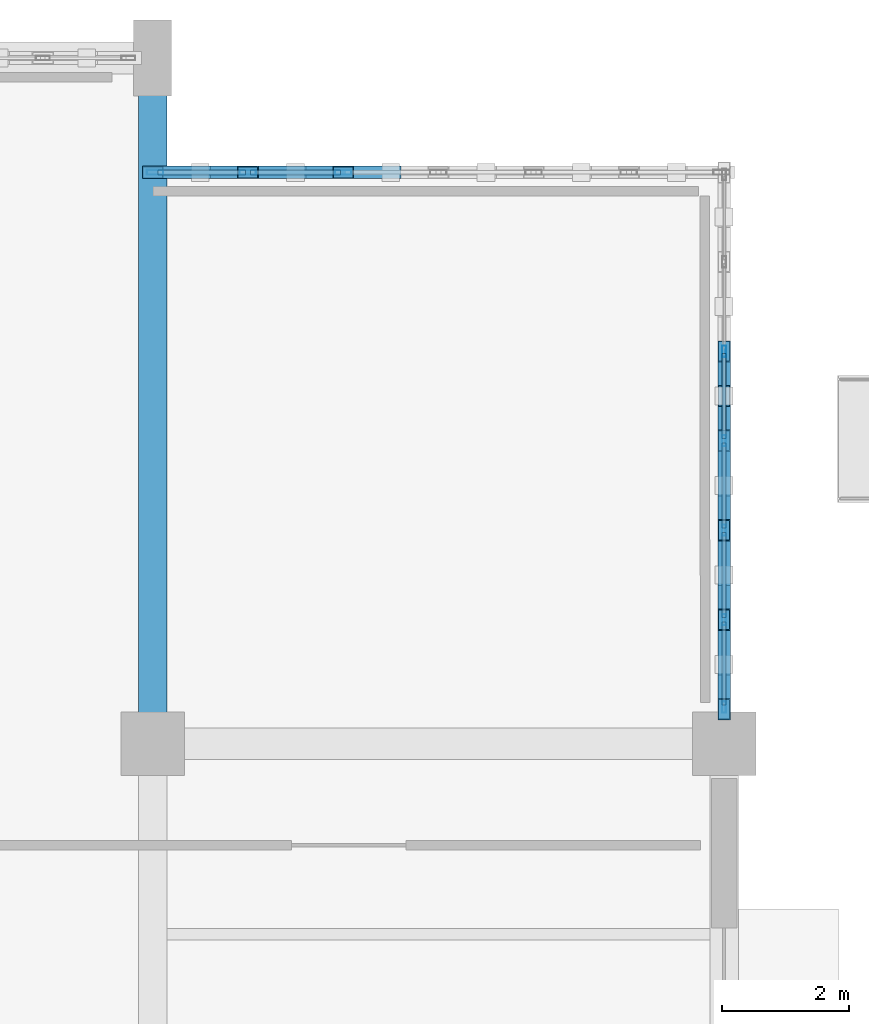
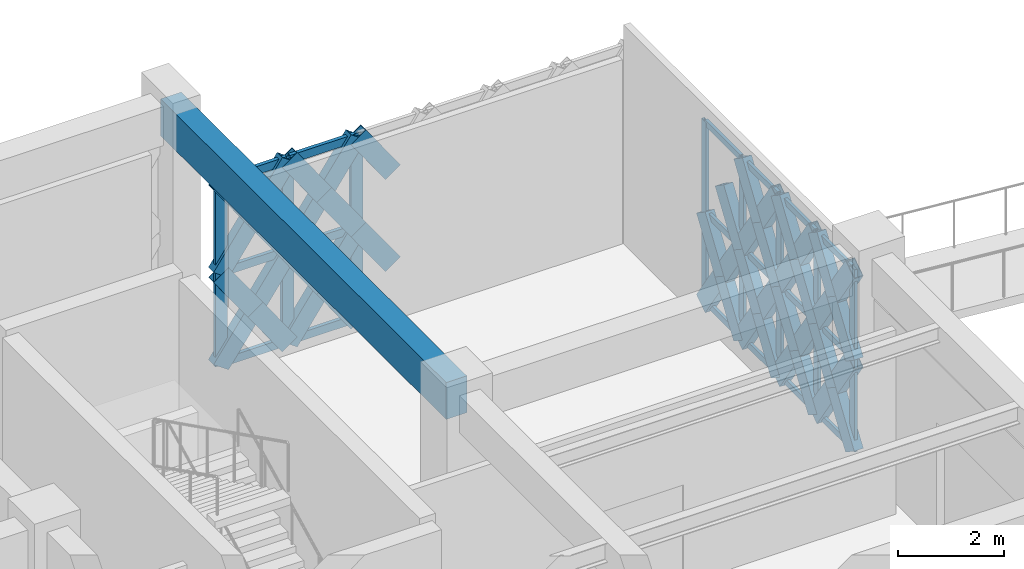
# One storey, part 74 of 140: 62 members, 1 beam, 2 elements without a shape of their own.
"""IFC4 building model written with IfcOpenShell, lengths in metres."""

from ifc_helpers import new_model, si_unit, direction, frame, origin, origin_2d, place, context, subcontext, project, spatial, rectangle, hollow_rectangle, extrude, material, material_profile, profile_set, type_object, element, aggregate, save


model = new_model("IFC4")

# Units and contexts
model_context = context("Model", 3, precision=1e-05, world=origin(), true_north=direction((0.0, 1.0)))
body_context = subcontext(model_context, "Body", "Model", "MODEL_VIEW")
ifc_project = project(units=[si_unit("LENGTHUNIT", "METRE"), si_unit("AREAUNIT", "SQUARE_METRE"), si_unit("VOLUMEUNIT", "CUBIC_METRE"), si_unit("PLANEANGLEUNIT", "RADIAN"), si_unit("MASSUNIT", "GRAM", prefix="KILO")], contexts=[model_context])

# Site, building, storey
site_placement = place(None, origin())
site = spatial("IfcSite", under=ifc_project, at=site_placement, CompositionType="ELEMENT")
building_placement = place(site_placement, origin())
building = spatial("IfcBuilding", under=site, at=building_placement, Name="Haizhuo Lancet Aquarium", CompositionType="ELEMENT")
storey_placement = place(building_placement, origin())
storey = spatial("IfcBuildingStorey", under=building, at=storey_placement, Name="L00", CompositionType="ELEMENT", Elevation=0.0)

# Beam
ifc_material_1 = material(Name="Concrete C40/50", Category="concrete")
ifc_material_profile_1 = material_profile(ifc_material_1, rectangle(XDim=0.449951171875, YDim=0.85009765625, at=origin_2d()), Name="RC-BM 450x850")
ifc_profile_set_1 = profile_set([ifc_material_profile_1], Name="Concrete C40/50")
beam_type = type_object("IfcBeamType", Name="BM-RC-450x850", PredefinedType="BEAM", material=ifc_profile_set_1)
beam_placement = place(storey_placement, frame((18.0, 45.0, 4.695068359375), z_axis=(0.0, 1.0, 0.0), x_axis=(-1.0, 0.0, 0.0)))
element("IfcBeam", 1, at=beam_placement, inside=storey, type_object=beam_type, Name="L00 V5 primary girder BM-L00-V5-030", PredefinedType="BEAM", context=body_context, shape_type="SweptSolid", body=[
    extrude(rectangle(XDim=0.449951171875, YDim=0.85009765625, at=origin_2d()), origin(), (0.0, 0.0, 1.0), 10.800048828125),
])

# Curtain wall, members
ifc_material_2 = material(Name="Aluminium 6063-T6", Category="aluminium")
curtain_wall_type_1 = type_object("IfcCurtainWallType", Name="CWD-8460x4200", PredefinedType="NOTDEFINED", material=ifc_material_2)
curtain_wall_1_placement = place(storey_placement, origin())
curtain_wall_1 = element("IfcCurtainWall", 2, at=curtain_wall_1_placement, inside=storey, type_object=curtain_wall_type_1, Name="L00 curtain wall CW-V5-L00-121", PredefinedType="NOTDEFINED")
ifc_material_profile_2 = material_profile(ifc_material_2, hollow_rectangle(XDim=0.06494140625, YDim=0.179931640625, WallThickness=0.00390625, at=origin_2d()), Name="ALU-M 65x180x4")
ifc_profile_set_2 = profile_set([ifc_material_profile_2], Name="Aluminium 6063-T6")
member_type_1 = type_object("IfcMemberType", Name="CW-MUL-1", PredefinedType="MULLION", material=ifc_profile_set_2)
member_1_placement = place(storey_placement, frame((27.0, 51.181884765625, 0.0), z_axis=(0.0, 0.0, 1.0), x_axis=(1.0, 0.0, 0.0)))
member_1 = element("IfcMember", 3, at=member_1_placement, type_object=member_type_1, Name="CWD-84x42 mullion 3", PredefinedType="MULLION", context=body_context, shape_type="SweptSolid", body=[
    extrude(hollow_rectangle(XDim=0.06494140625, YDim=0.179931640625, WallThickness=0.00390625, at=origin_2d()), origin(), (0.0, 0.0, 1.0), 4.205078125),
])
member_2_placement = place(storey_placement, frame((27.0, 49.77294921875, 0.0), z_axis=(0.0, 0.0, 1.0), x_axis=(1.0, 0.0, 0.0)))
member_2 = element("IfcMember", 4, at=member_2_placement, type_object=member_type_1, Name="CWD-84x42 mullion 4", PredefinedType="MULLION", context=body_context, shape_type="SweptSolid", body=[
    extrude(hollow_rectangle(XDim=0.06494140625, YDim=0.179931640625, WallThickness=0.00390625, at=origin_2d()), origin(), (0.0, 0.0, 1.0), 4.205078125),
])
member_3_placement = place(storey_placement, frame((27.0, 48.363037109375, 0.0), z_axis=(0.0, 0.0, 1.0), x_axis=(1.0, 0.0, 0.0)))
member_3 = element("IfcMember", 5, at=member_3_placement, type_object=member_type_1, Name="CWD-84x42 mullion 5", PredefinedType="MULLION", context=body_context, shape_type="SweptSolid", body=[
    extrude(hollow_rectangle(XDim=0.06494140625, YDim=0.179931640625, WallThickness=0.00390625, at=origin_2d()), origin(), (0.0, 0.0, 1.0), 4.205078125),
])
member_4_placement = place(storey_placement, frame((27.0, 46.9541015625, 0.0), z_axis=(0.0, 0.0, 1.0), x_axis=(1.0, 0.0, 0.0)))
member_4 = element("IfcMember", 6, at=member_4_placement, type_object=member_type_1, Name="CWD-84x42 mullion 6", PredefinedType="MULLION", context=body_context, shape_type="SweptSolid", body=[
    extrude(hollow_rectangle(XDim=0.06494140625, YDim=0.179931640625, WallThickness=0.00390625, at=origin_2d()), origin(), (0.0, 0.0, 1.0), 4.205078125),
])
member_5_placement = place(storey_placement, frame((27.0, 45.577880859375, 0.0), z_axis=(0.0, 0.0, 1.0), x_axis=(1.0, 0.0, 0.0)))
member_5 = element("IfcMember", 7, at=member_5_placement, type_object=member_type_1, Name="CWD-84x42 mullion 7", PredefinedType="MULLION", context=body_context, shape_type="SweptSolid", body=[
    extrude(hollow_rectangle(XDim=0.06494140625, YDim=0.179931640625, WallThickness=0.00390625, at=origin_2d()), origin(), (0.0, 0.0, 1.0), 4.205078125),
])

curtain_wall_type_2 = type_object("IfcCurtainWallType", Name="CWD-9000x4260", PredefinedType="NOTDEFINED", material=ifc_material_2)
curtain_wall_2_placement = place(storey_placement, origin())
curtain_wall_2 = element("IfcCurtainWall", 8, at=curtain_wall_2_placement, inside=storey, type_object=curtain_wall_type_2, Name="L00 curtain wall CW-V5-L00-120", PredefinedType="NOTDEFINED")
ifc_material_profile_3 = material_profile(ifc_material_2, hollow_rectangle(XDim=0.080078125, YDim=0.260009765625, WallThickness=0.0048828125, at=origin_2d()), Name="ALU-M 80x260x5")
ifc_profile_set_3 = profile_set([ifc_material_profile_3], Name="Aluminium 6063-T6")
member_type_2 = type_object("IfcMemberType", Name="CW-MUL-3", PredefinedType="MULLION", material=ifc_profile_set_3)
member_6_placement = place(storey_placement, frame((18.0400390625, 54.0, 0.0), z_axis=(0.0, 0.0, 1.0), x_axis=(0.0, 1.0, 0.0)))
member_6 = element("IfcMember", 9, at=member_6_placement, type_object=member_type_2, Name="CWD-90x42 mullion 1", PredefinedType="MULLION", context=body_context, shape_type="SweptSolid", body=[
    extrude(hollow_rectangle(XDim=0.080078125, YDim=0.260009765625, WallThickness=0.0048828125, at=origin_2d()), origin(), (0.0, 0.0, 1.0), 4.2548828125),
])
member_7_placement = place(storey_placement, frame((19.5, 54.0, 0.0), z_axis=(0.0, 0.0, 1.0), x_axis=(0.0, 1.0, 0.0)))
member_7 = element("IfcMember", 10, at=member_7_placement, type_object=member_type_2, Name="CWD-90x42 mullion 2", PredefinedType="MULLION", context=body_context, shape_type="SweptSolid", body=[
    extrude(hollow_rectangle(XDim=0.080078125, YDim=0.260009765625, WallThickness=0.0048828125, at=origin_2d()), origin(), (0.0, 0.0, 1.0), 4.2548828125),
])
member_8_placement = place(storey_placement, frame((21.0, 54.0, 0.0), z_axis=(0.0, 0.0, 1.0), x_axis=(0.0, 1.0, 0.0)))
member_8 = element("IfcMember", 11, at=member_8_placement, type_object=member_type_2, Name="CWD-90x42 mullion 3", PredefinedType="MULLION", context=body_context, shape_type="SweptSolid", body=[
    extrude(hollow_rectangle(XDim=0.080078125, YDim=0.260009765625, WallThickness=0.0048828125, at=origin_2d()), origin(), (0.0, 0.0, 1.0), 4.2548828125),
])

# Member
ifc_material_profile_4 = material_profile(ifc_material_2, hollow_rectangle(XDim=0.06494140625, YDim=0.139892578125, WallThickness=0.00390625, at=origin_2d()), Name="ALU-T 65x140x4")
ifc_profile_set_4 = profile_set([ifc_material_profile_4], Name="Aluminium 6063-T6")
member_type_3 = type_object("IfcMemberType", Name="CW-TRN-1", PredefinedType="NOTDEFINED", material=ifc_profile_set_4)
member_9_placement = place(storey_placement, frame((27.0, 51.14892578125, 0.032958984375), z_axis=(0.0, -1.0, 0.0), x_axis=(1.0, 0.0, 0.0)))
member_9 = element("IfcMember", 12, at=member_9_placement, type_object=member_type_3, Name="CWD-84x42 transom 3.1", ObjectType="TRANSOM", PredefinedType="USERDEFINED", context=body_context, shape_type="SweptSolid", body=[
    extrude(hollow_rectangle(XDim=0.06494140625, YDim=0.139892578125, WallThickness=0.00390625, at=origin_2d()), origin(), (0.0, 0.0, 1.0), 1.343994140625),
])

member_10_placement = place(storey_placement, frame((27.0, 51.14892578125, 2.10302734375), z_axis=(0.0, -1.0, 0.0), x_axis=(1.0, 0.0, 0.0)))
member_10 = element("IfcMember", 13, at=member_10_placement, type_object=member_type_3, Name="CWD-84x42 transom 3.2", ObjectType="TRANSOM", PredefinedType="USERDEFINED", context=body_context, shape_type="SweptSolid", body=[
    extrude(hollow_rectangle(XDim=0.06494140625, YDim=0.139892578125, WallThickness=0.00390625, at=origin_2d()), origin(), (0.0, 0.0, 1.0), 1.343994140625),
])

member_11_placement = place(storey_placement, frame((27.0, 51.14892578125, 4.173095703125), z_axis=(0.0, -1.0, 0.0), x_axis=(1.0, 0.0, 0.0)))
member_11 = element("IfcMember", 14, at=member_11_placement, type_object=member_type_3, Name="CWD-84x42 transom 3.3", ObjectType="TRANSOM", PredefinedType="USERDEFINED", context=body_context, shape_type="SweptSolid", body=[
    extrude(hollow_rectangle(XDim=0.06494140625, YDim=0.139892578125, WallThickness=0.00390625, at=origin_2d()), origin(), (0.0, 0.0, 1.0), 1.343994140625),
])

member_12_placement = place(storey_placement, frame((27.0, 49.739990234375, 0.032958984375), z_axis=(0.0, -1.0, 0.0), x_axis=(1.0, 0.0, 0.0)))
member_12 = element("IfcMember", 15, at=member_12_placement, type_object=member_type_3, Name="CWD-84x42 transom 4.1", ObjectType="TRANSOM", PredefinedType="USERDEFINED", context=body_context, shape_type="SweptSolid", body=[
    extrude(hollow_rectangle(XDim=0.06494140625, YDim=0.139892578125, WallThickness=0.00390625, at=origin_2d()), origin(), (0.0, 0.0, 1.0), 1.343994140625),
])

member_13_placement = place(storey_placement, frame((27.0, 49.739990234375, 2.10302734375), z_axis=(0.0, -1.0, 0.0), x_axis=(1.0, 0.0, 0.0)))
member_13 = element("IfcMember", 16, at=member_13_placement, type_object=member_type_3, Name="CWD-84x42 transom 4.2", ObjectType="TRANSOM", PredefinedType="USERDEFINED", context=body_context, shape_type="SweptSolid", body=[
    extrude(hollow_rectangle(XDim=0.06494140625, YDim=0.139892578125, WallThickness=0.00390625, at=origin_2d()), origin(), (0.0, 0.0, 1.0), 1.343994140625),
])

member_14_placement = place(storey_placement, frame((27.0, 49.739990234375, 4.173095703125), z_axis=(0.0, -1.0, 0.0), x_axis=(1.0, 0.0, 0.0)))
member_14 = element("IfcMember", 17, at=member_14_placement, type_object=member_type_3, Name="CWD-84x42 transom 4.3", ObjectType="TRANSOM", PredefinedType="USERDEFINED", context=body_context, shape_type="SweptSolid", body=[
    extrude(hollow_rectangle(XDim=0.06494140625, YDim=0.139892578125, WallThickness=0.00390625, at=origin_2d()), origin(), (0.0, 0.0, 1.0), 1.343994140625),
])

member_15_placement = place(storey_placement, frame((27.0, 48.3310546875, 0.032958984375), z_axis=(0.0, -1.0, 0.0), x_axis=(1.0, 0.0, 0.0)))
member_15 = element("IfcMember", 18, at=member_15_placement, type_object=member_type_3, Name="CWD-84x42 transom 5.1", ObjectType="TRANSOM", PredefinedType="USERDEFINED", context=body_context, shape_type="SweptSolid", body=[
    extrude(hollow_rectangle(XDim=0.06494140625, YDim=0.139892578125, WallThickness=0.00390625, at=origin_2d()), origin(), (0.0, 0.0, 1.0), 1.343994140625),
])

member_16_placement = place(storey_placement, frame((27.0, 48.3310546875, 2.10302734375), z_axis=(0.0, -1.0, 0.0), x_axis=(1.0, 0.0, 0.0)))
member_16 = element("IfcMember", 19, at=member_16_placement, type_object=member_type_3, Name="CWD-84x42 transom 5.2", ObjectType="TRANSOM", PredefinedType="USERDEFINED", context=body_context, shape_type="SweptSolid", body=[
    extrude(hollow_rectangle(XDim=0.06494140625, YDim=0.139892578125, WallThickness=0.00390625, at=origin_2d()), origin(), (0.0, 0.0, 1.0), 1.343994140625),
])

member_17_placement = place(storey_placement, frame((27.0, 48.3310546875, 4.173095703125), z_axis=(0.0, -1.0, 0.0), x_axis=(1.0, 0.0, 0.0)))
member_17 = element("IfcMember", 20, at=member_17_placement, type_object=member_type_3, Name="CWD-84x42 transom 5.3", ObjectType="TRANSOM", PredefinedType="USERDEFINED", context=body_context, shape_type="SweptSolid", body=[
    extrude(hollow_rectangle(XDim=0.06494140625, YDim=0.139892578125, WallThickness=0.00390625, at=origin_2d()), origin(), (0.0, 0.0, 1.0), 1.343994140625),
])

member_18_placement = place(storey_placement, frame((27.0, 46.922119140625, 0.032958984375), z_axis=(0.0, -1.0, 0.0), x_axis=(1.0, 0.0, 0.0)))
member_18 = element("IfcMember", 21, at=member_18_placement, type_object=member_type_3, Name="CWD-84x42 transom 6.1", ObjectType="TRANSOM", PredefinedType="USERDEFINED", context=body_context, shape_type="SweptSolid", body=[
    extrude(hollow_rectangle(XDim=0.06494140625, YDim=0.139892578125, WallThickness=0.00390625, at=origin_2d()), origin(), (0.0, 0.0, 1.0), 1.31201171875),
])

member_19_placement = place(storey_placement, frame((27.0, 46.922119140625, 2.10302734375), z_axis=(0.0, -1.0, 0.0), x_axis=(1.0, 0.0, 0.0)))
member_19 = element("IfcMember", 22, at=member_19_placement, type_object=member_type_3, Name="CWD-84x42 transom 6.2", ObjectType="TRANSOM", PredefinedType="USERDEFINED", context=body_context, shape_type="SweptSolid", body=[
    extrude(hollow_rectangle(XDim=0.06494140625, YDim=0.139892578125, WallThickness=0.00390625, at=origin_2d()), origin(), (0.0, 0.0, 1.0), 1.31201171875),
])

member_20_placement = place(storey_placement, frame((27.0, 46.922119140625, 4.173095703125), z_axis=(0.0, -1.0, 0.0), x_axis=(1.0, 0.0, 0.0)))
member_20 = element("IfcMember", 23, at=member_20_placement, type_object=member_type_3, Name="CWD-84x42 transom 6.3", ObjectType="TRANSOM", PredefinedType="USERDEFINED", context=body_context, shape_type="SweptSolid", body=[
    extrude(hollow_rectangle(XDim=0.06494140625, YDim=0.139892578125, WallThickness=0.00390625, at=origin_2d()), origin(), (0.0, 0.0, 1.0), 1.31201171875),
])

aggregate(curtain_wall_1, [member_1, member_2, member_3, member_4, member_5, member_9, member_10, member_11, member_12, member_13, member_14, member_15, member_16, member_17, member_18, member_19, member_20])

ifc_material_profile_5 = material_profile(ifc_material_2, hollow_rectangle(XDim=0.080078125, YDim=0.18994140625, WallThickness=0.0048828125, at=origin_2d()), Name="ALU-T 80x190x5")
ifc_profile_set_5 = profile_set([ifc_material_profile_5], Name="Aluminium 6063-T6")
member_type_4 = type_object("IfcMemberType", Name="CW-TRN-3", PredefinedType="NOTDEFINED", material=ifc_profile_set_5)
member_21_placement = place(storey_placement, frame((18.080078125, 54.0, 0.0400390625), z_axis=(1.0, 0.0, 0.0), x_axis=(0.0, 1.0, 0.0)))
member_21 = element("IfcMember", 24, at=member_21_placement, type_object=member_type_4, Name="CWD-90x42 transom 1.1", ObjectType="TRANSOM", PredefinedType="USERDEFINED", context=body_context, shape_type="SweptSolid", body=[
    extrude(hollow_rectangle(XDim=0.080078125, YDim=0.18994140625, WallThickness=0.0048828125, at=origin_2d()), origin(), (0.0, 0.0, 1.0), 1.3798828125),
])

member_22_placement = place(storey_placement, frame((18.080078125, 54.0, 2.126953125), z_axis=(1.0, 0.0, 0.0), x_axis=(0.0, 1.0, 0.0)))
member_22 = element("IfcMember", 25, at=member_22_placement, type_object=member_type_4, Name="CWD-90x42 transom 1.2", ObjectType="TRANSOM", PredefinedType="USERDEFINED", context=body_context, shape_type="SweptSolid", body=[
    extrude(hollow_rectangle(XDim=0.080078125, YDim=0.18994140625, WallThickness=0.0048828125, at=origin_2d()), origin(), (0.0, 0.0, 1.0), 1.3798828125),
])

member_23_placement = place(storey_placement, frame((18.080078125, 54.0, 4.215087890625), z_axis=(1.0, 0.0, 0.0), x_axis=(0.0, 1.0, 0.0)))
member_23 = element("IfcMember", 26, at=member_23_placement, type_object=member_type_4, Name="CWD-90x42 transom 1.3", ObjectType="TRANSOM", PredefinedType="USERDEFINED", context=body_context, shape_type="SweptSolid", body=[
    extrude(hollow_rectangle(XDim=0.080078125, YDim=0.18994140625, WallThickness=0.0048828125, at=origin_2d()), origin(), (0.0, 0.0, 1.0), 1.3798828125),
])

member_24_placement = place(storey_placement, frame((19.5400390625, 54.0, 0.0400390625), z_axis=(1.0, 0.0, 0.0), x_axis=(0.0, 1.0, 0.0)))
member_24 = element("IfcMember", 27, at=member_24_placement, type_object=member_type_4, Name="CWD-90x42 transom 2.1", ObjectType="TRANSOM", PredefinedType="USERDEFINED", context=body_context, shape_type="SweptSolid", body=[
    extrude(hollow_rectangle(XDim=0.080078125, YDim=0.18994140625, WallThickness=0.0048828125, at=origin_2d()), origin(), (0.0, 0.0, 1.0), 1.419921875),
])

member_25_placement = place(storey_placement, frame((19.5400390625, 54.0, 2.126953125), z_axis=(1.0, 0.0, 0.0), x_axis=(0.0, 1.0, 0.0)))
member_25 = element("IfcMember", 28, at=member_25_placement, type_object=member_type_4, Name="CWD-90x42 transom 2.2", ObjectType="TRANSOM", PredefinedType="USERDEFINED", context=body_context, shape_type="SweptSolid", body=[
    extrude(hollow_rectangle(XDim=0.080078125, YDim=0.18994140625, WallThickness=0.0048828125, at=origin_2d()), origin(), (0.0, 0.0, 1.0), 1.419921875),
])

member_26_placement = place(storey_placement, frame((19.5400390625, 54.0, 4.215087890625), z_axis=(1.0, 0.0, 0.0), x_axis=(0.0, 1.0, 0.0)))
member_26 = element("IfcMember", 29, at=member_26_placement, type_object=member_type_4, Name="CWD-90x42 transom 2.3", ObjectType="TRANSOM", PredefinedType="USERDEFINED", context=body_context, shape_type="SweptSolid", body=[
    extrude(hollow_rectangle(XDim=0.080078125, YDim=0.18994140625, WallThickness=0.0048828125, at=origin_2d()), origin(), (0.0, 0.0, 1.0), 1.419921875),
])

aggregate(curtain_wall_2, [member_6, member_7, member_8, member_21, member_22, member_23, member_24, member_25, member_26])

# Members
ifc_material_3 = material(Name="Steel S355", Category="steel")
ifc_material_profile_6 = material_profile(ifc_material_3, hollow_rectangle(XDim=0.199951171875, YDim=0.39990234375, WallThickness=0.011962890625, at=origin_2d()), Name="RHS 200x400x12")
ifc_profile_set_6 = profile_set([ifc_material_profile_6], Name="Steel S355")
member_type_5 = type_object("IfcMemberType", Name="MEM-LB-RHS200x400", PredefinedType="BRACE", material=ifc_profile_set_6)
member_27_placement = place(storey_placement, frame((18.0, 54.0, 0.0), z_axis=(0.576329592678, 0.0, 0.817217352118), x_axis=(0.0, 1.0, 0.0)))
element("IfcMember", 30, at=member_27_placement, inside=storey, type_object=member_type_5, Name="Gothic lancet continuous diagonal brace CW-V5-L00-120 1A", PredefinedType="BRACE", context=body_context, shape_type="SweptSolid", body=[
    extrude(hollow_rectangle(XDim=0.199951171875, YDim=0.39990234375, WallThickness=0.011962890625, at=origin_2d()), origin(), (0.0, 0.0, 1.0), 2.602783203125),
])
member_28_placement = place(storey_placement, frame((19.5, 54.0, 0.0), z_axis=(-0.576506354413, 0.0, 0.817092665076), x_axis=(0.0, -1.0, 0.0)))
element("IfcMember", 31, at=member_28_placement, inside=storey, type_object=member_type_5, Name="Gothic lancet split diagonal brace CW-V5-L00-120 1B1", PredefinedType="BRACE", context=body_context, shape_type="SweptSolid", body=[
    extrude(hollow_rectangle(XDim=0.199951171875, YDim=0.39990234375, WallThickness=0.011962890625, at=origin_2d()), origin(), (0.0, 0.0, 1.0), 1.301025390625),
])
member_29_placement = place(storey_placement, frame((18.75, 54.0, 1.06298828125), z_axis=(-0.57615291237, 0.0, 0.817341924514), x_axis=(0.0, -1.0, 0.0)))
element("IfcMember", 32, at=member_29_placement, inside=storey, type_object=member_type_5, Name="Gothic lancet split diagonal brace CW-V5-L00-120 1B2", PredefinedType="BRACE", context=body_context, shape_type="SweptSolid", body=[
    extrude(hollow_rectangle(XDim=0.199951171875, YDim=0.39990234375, WallThickness=0.011962890625, at=origin_2d()), origin(), (0.0, 0.0, 1.0), 1.3017578125),
])
member_30_placement = place(storey_placement, frame((18.0, 54.0, 2.126953125), z_axis=(0.57615291237, 0.0, 0.817341924514), x_axis=(0.0, 1.0, 0.0)))
element("IfcMember", 33, at=member_30_placement, inside=storey, type_object=member_type_5, Name="Gothic lancet continuous diagonal brace CW-V5-L00-120 2A", PredefinedType="BRACE", context=body_context, shape_type="SweptSolid", body=[
    extrude(hollow_rectangle(XDim=0.199951171875, YDim=0.39990234375, WallThickness=0.011962890625, at=origin_2d()), origin(), (0.0, 0.0, 1.0), 2.603515625),
])
for number, where, z_axis, x_axis, name in (
    (34, (19.5, 54.0, 2.126953125), (-0.57615291237, 0.0, 0.817341924514), (0.0, -1.0, 0.0), "Gothic lancet split diagonal brace CW-V5-L00-120 2B1"),
    (35, (18.75, 54.0, 3.19091796875), (-0.57615291237, 0.0, 0.817341924514), (0.0, -1.0, 0.0), "Gothic lancet split diagonal brace CW-V5-L00-120 2B2"),
):
    element("IfcMember", number, at=place(storey_placement, frame(where, z_axis=z_axis, x_axis=x_axis)), inside=storey, type_object=member_type_5, Name=name, PredefinedType="BRACE", context=body_context, shape_type="SweptSolid", body=[
        extrude(hollow_rectangle(XDim=0.199951171875, YDim=0.39990234375, WallThickness=0.011962890625, at=origin_2d()), origin(), (0.0, 0.0, 1.0), 1.3017578125),
    ])
member_31_placement = place(storey_placement, frame((19.5, 54.0, 0.0), z_axis=(0.576329592678, 0.0, 0.817217352118), x_axis=(0.0, 1.0, 0.0)))
element("IfcMember", 36, at=member_31_placement, inside=storey, type_object=member_type_5, Name="Gothic lancet continuous diagonal brace CW-V5-L00-120 3A", PredefinedType="BRACE", context=body_context, shape_type="SweptSolid", body=[
    extrude(hollow_rectangle(XDim=0.199951171875, YDim=0.39990234375, WallThickness=0.011962890625, at=origin_2d()), origin(), (0.0, 0.0, 1.0), 2.602783203125),
])
member_32_placement = place(storey_placement, frame((21.0, 54.0, 0.0), z_axis=(-0.576506354413, 0.0, 0.817092665076), x_axis=(0.0, -1.0, 0.0)))
element("IfcMember", 37, at=member_32_placement, inside=storey, type_object=member_type_5, Name="Gothic lancet split diagonal brace CW-V5-L00-120 3B1", PredefinedType="BRACE", context=body_context, shape_type="SweptSolid", body=[
    extrude(hollow_rectangle(XDim=0.199951171875, YDim=0.39990234375, WallThickness=0.011962890625, at=origin_2d()), origin(), (0.0, 0.0, 1.0), 1.301025390625),
])
member_33_placement = place(storey_placement, frame((20.25, 54.0, 1.06298828125), z_axis=(-0.57615291237, 0.0, 0.817341924514), x_axis=(0.0, -1.0, 0.0)))
element("IfcMember", 38, at=member_33_placement, inside=storey, type_object=member_type_5, Name="Gothic lancet split diagonal brace CW-V5-L00-120 3B2", PredefinedType="BRACE", context=body_context, shape_type="SweptSolid", body=[
    extrude(hollow_rectangle(XDim=0.199951171875, YDim=0.39990234375, WallThickness=0.011962890625, at=origin_2d()), origin(), (0.0, 0.0, 1.0), 1.3017578125),
])
member_34_placement = place(storey_placement, frame((19.5, 54.0, 2.126953125), z_axis=(0.57615291237, 0.0, 0.817341924514), x_axis=(0.0, 1.0, 0.0)))
element("IfcMember", 39, at=member_34_placement, inside=storey, type_object=member_type_5, Name="Gothic lancet continuous diagonal brace CW-V5-L00-120 4A", PredefinedType="BRACE", context=body_context, shape_type="SweptSolid", body=[
    extrude(hollow_rectangle(XDim=0.199951171875, YDim=0.39990234375, WallThickness=0.011962890625, at=origin_2d()), origin(), (0.0, 0.0, 1.0), 2.603515625),
])
for number, where, z_axis, x_axis, name in (
    (40, (21.0, 54.0, 2.126953125), (-0.57615291237, 0.0, 0.817341924514), (0.0, -1.0, 0.0), "Gothic lancet split diagonal brace CW-V5-L00-120 4B1"),
    (41, (20.25, 54.0, 3.19091796875), (-0.57615291237, 0.0, 0.817341924514), (0.0, -1.0, 0.0), "Gothic lancet split diagonal brace CW-V5-L00-120 4B2"),
    (42, (21.75, 54.0, 1.06298828125), (-0.57615291237, 0.0, 0.817341924514), (0.0, -1.0, 0.0), "Gothic lancet split diagonal brace CW-V5-L00-120 5B2"),
    (43, (21.75, 54.0, 3.19091796875), (-0.57615291237, 0.0, 0.817341924514), (0.0, -1.0, 0.0), "Gothic lancet split diagonal brace CW-V5-L00-120 6B2"),
):
    element("IfcMember", number, at=place(storey_placement, frame(where, z_axis=z_axis, x_axis=x_axis)), inside=storey, type_object=member_type_5, Name=name, PredefinedType="BRACE", context=body_context, shape_type="SweptSolid", body=[
        extrude(hollow_rectangle(XDim=0.199951171875, YDim=0.39990234375, WallThickness=0.011962890625, at=origin_2d()), origin(), (0.0, 0.0, 1.0), 1.3017578125),
    ])
member_35_placement = place(storey_placement, frame((27.0, 51.181884765625, 0.0), z_axis=(0.0, -0.556590590257, 0.830786925052), x_axis=(1.0, 0.0, 0.0)))
element("IfcMember", 44, at=member_35_placement, inside=storey, type_object=member_type_5, Name="Gothic lancet continuous diagonal brace CW-V5-L00-121 5A", PredefinedType="BRACE", context=body_context, shape_type="SweptSolid", body=[
    extrude(hollow_rectangle(XDim=0.199951171875, YDim=0.39990234375, WallThickness=0.011962890625, at=origin_2d()), origin(), (0.0, 0.0, 1.0), 2.53125),
])
member_36_placement = place(storey_placement, frame((27.0, 49.77294921875, 0.0), z_axis=(0.0, 0.556744938747, 0.830683497597), x_axis=(-1.0, 0.0, 0.0)))
element("IfcMember", 45, at=member_36_placement, inside=storey, type_object=member_type_5, Name="Gothic lancet split diagonal brace CW-V5-L00-121 5B1", PredefinedType="BRACE", context=body_context, shape_type="SweptSolid", body=[
    extrude(hollow_rectangle(XDim=0.199951171875, YDim=0.39990234375, WallThickness=0.011962890625, at=origin_2d()), origin(), (0.0, 0.0, 1.0), 1.266357421875),
])
member_37_placement = place(storey_placement, frame((27.0, 50.47802734375, 1.052001953125), z_axis=(0.0, 0.556436040618, 0.830890445668), x_axis=(-1.0, 0.0, 0.0)))
element("IfcMember", 46, at=member_37_placement, inside=storey, type_object=member_type_5, Name="Gothic lancet split diagonal brace CW-V5-L00-121 5B2", PredefinedType="BRACE", context=body_context, shape_type="SweptSolid", body=[
    extrude(hollow_rectangle(XDim=0.199951171875, YDim=0.39990234375, WallThickness=0.011962890625, at=origin_2d()), origin(), (0.0, 0.0, 1.0), 1.264892578125),
])
member_38_placement = place(storey_placement, frame((27.0, 49.77294921875, 2.10302734375), z_axis=(0.0, 0.557101740231, 0.830444249201), x_axis=(-1.0, 0.0, 0.0)))
element("IfcMember", 47, at=member_38_placement, inside=storey, type_object=member_type_5, Name="Gothic lancet split diagonal brace CW-V5-L00-121 6B1", PredefinedType="BRACE", context=body_context, shape_type="SweptSolid", body=[
    extrude(hollow_rectangle(XDim=0.199951171875, YDim=0.39990234375, WallThickness=0.011962890625, at=origin_2d()), origin(), (0.0, 0.0, 1.0), 1.265625),
])
member_39_placement = place(storey_placement, frame((27.0, 49.77294921875, 0.0), z_axis=(0.0, -0.556856775637, 0.830608530794), x_axis=(1.0, 0.0, 0.0)))
element("IfcMember", 48, at=member_39_placement, inside=storey, type_object=member_type_5, Name="Gothic lancet continuous diagonal brace CW-V5-L00-121 7A", PredefinedType="BRACE", context=body_context, shape_type="SweptSolid", body=[
    extrude(hollow_rectangle(XDim=0.199951171875, YDim=0.39990234375, WallThickness=0.011962890625, at=origin_2d()), origin(), (0.0, 0.0, 1.0), 2.531982421875),
])
member_40_placement = place(storey_placement, frame((27.0, 48.363037109375, 0.0), z_axis=(0.0, 0.556744938747, 0.830683497597), x_axis=(-1.0, 0.0, 0.0)))
element("IfcMember", 49, at=member_40_placement, inside=storey, type_object=member_type_5, Name="Gothic lancet split diagonal brace CW-V5-L00-121 7B1", PredefinedType="BRACE", context=body_context, shape_type="SweptSolid", body=[
    extrude(hollow_rectangle(XDim=0.199951171875, YDim=0.39990234375, WallThickness=0.011962890625, at=origin_2d()), origin(), (0.0, 0.0, 1.0), 1.266357421875),
])
member_41_placement = place(storey_placement, frame((27.0, 49.068115234375, 1.052001953125), z_axis=(0.0, 0.55696868612, 0.830533492812), x_axis=(-1.0, 0.0, 0.0)))
element("IfcMember", 50, at=member_41_placement, inside=storey, type_object=member_type_5, Name="Gothic lancet split diagonal brace CW-V5-L00-121 7B2", PredefinedType="BRACE", context=body_context, shape_type="SweptSolid", body=[
    extrude(hollow_rectangle(XDim=0.199951171875, YDim=0.39990234375, WallThickness=0.011962890625, at=origin_2d()), origin(), (0.0, 0.0, 1.0), 1.265380859375),
])
member_42_placement = place(storey_placement, frame((27.0, 49.77294921875, 2.10302734375), z_axis=(0.0, -0.557035218537, 0.830488871274), x_axis=(1.0, 0.0, 0.0)))
element("IfcMember", 51, at=member_42_placement, inside=storey, type_object=member_type_5, Name="Gothic lancet continuous diagonal brace CW-V5-L00-121 8A", PredefinedType="BRACE", context=body_context, shape_type="SweptSolid", body=[
    extrude(hollow_rectangle(XDim=0.199951171875, YDim=0.39990234375, WallThickness=0.011962890625, at=origin_2d()), origin(), (0.0, 0.0, 1.0), 2.531005859375),
])
member_43_placement = place(storey_placement, frame((27.0, 48.363037109375, 2.10302734375), z_axis=(0.0, 0.557101740231, 0.830444249201), x_axis=(-1.0, 0.0, 0.0)))
element("IfcMember", 52, at=member_43_placement, inside=storey, type_object=member_type_5, Name="Gothic lancet split diagonal brace CW-V5-L00-121 8B1", PredefinedType="BRACE", context=body_context, shape_type="SweptSolid", body=[
    extrude(hollow_rectangle(XDim=0.199951171875, YDim=0.39990234375, WallThickness=0.011962890625, at=origin_2d()), origin(), (0.0, 0.0, 1.0), 1.265625),
])
member_44_placement = place(storey_placement, frame((27.0, 49.068115234375, 3.154052734375), z_axis=(0.0, 0.55696868612, 0.830533492812), x_axis=(-1.0, 0.0, 0.0)))
element("IfcMember", 53, at=member_44_placement, inside=storey, type_object=member_type_5, Name="Gothic lancet split diagonal brace CW-V5-L00-121 8B2", PredefinedType="BRACE", context=body_context, shape_type="SweptSolid", body=[
    extrude(hollow_rectangle(XDim=0.199951171875, YDim=0.39990234375, WallThickness=0.011962890625, at=origin_2d()), origin(), (0.0, 0.0, 1.0), 1.265380859375),
])
member_45_placement = place(storey_placement, frame((27.0, 48.363037109375, 0.0), z_axis=(0.0, -0.556590590257, 0.830786925052), x_axis=(1.0, 0.0, 0.0)))
element("IfcMember", 54, at=member_45_placement, inside=storey, type_object=member_type_5, Name="Gothic lancet continuous diagonal brace CW-V5-L00-121 9A", PredefinedType="BRACE", context=body_context, shape_type="SweptSolid", body=[
    extrude(hollow_rectangle(XDim=0.199951171875, YDim=0.39990234375, WallThickness=0.011962890625, at=origin_2d()), origin(), (0.0, 0.0, 1.0), 2.53125),
])
member_46_placement = place(storey_placement, frame((27.0, 46.9541015625, 0.0), z_axis=(0.0, 0.556611893252, 0.830772652589), x_axis=(-1.0, 0.0, 0.0)))
element("IfcMember", 55, at=member_46_placement, inside=storey, type_object=member_type_5, Name="Gothic lancet split diagonal brace CW-V5-L00-121 9B1", PredefinedType="BRACE", context=body_context, shape_type="SweptSolid", body=[
    extrude(hollow_rectangle(XDim=0.199951171875, YDim=0.39990234375, WallThickness=0.011962890625, at=origin_2d()), origin(), (0.0, 0.0, 1.0), 1.266357421875),
])
member_47_placement = place(storey_placement, frame((27.0, 47.658935546875, 1.052001953125), z_axis=(0.0, 0.556569266369, 0.83080121072), x_axis=(-1.0, 0.0, 0.0)))
element("IfcMember", 56, at=member_47_placement, inside=storey, type_object=member_type_5, Name="Gothic lancet split diagonal brace CW-V5-L00-121 9B2", PredefinedType="BRACE", context=body_context, shape_type="SweptSolid", body=[
    extrude(hollow_rectangle(XDim=0.199951171875, YDim=0.39990234375, WallThickness=0.011962890625, at=origin_2d()), origin(), (0.0, 0.0, 1.0), 1.26513671875),
])
member_48_placement = place(storey_placement, frame((27.0, 48.363037109375, 2.10302734375), z_axis=(0.0, -0.556769024518, 0.830667354202), x_axis=(1.0, 0.0, 0.0)))
element("IfcMember", 57, at=member_48_placement, inside=storey, type_object=member_type_5, Name="Gothic lancet continuous diagonal brace CW-V5-L00-121 10A", PredefinedType="BRACE", context=body_context, shape_type="SweptSolid", body=[
    extrude(hollow_rectangle(XDim=0.199951171875, YDim=0.39990234375, WallThickness=0.011962890625, at=origin_2d()), origin(), (0.0, 0.0, 1.0), 2.530517578125),
])
member_49_placement = place(storey_placement, frame((27.0, 46.9541015625, 2.10302734375), z_axis=(0.0, 0.55696868612, 0.830533492812), x_axis=(-1.0, 0.0, 0.0)))
element("IfcMember", 58, at=member_49_placement, inside=storey, type_object=member_type_5, Name="Gothic lancet split diagonal brace CW-V5-L00-121 10B1", PredefinedType="BRACE", context=body_context, shape_type="SweptSolid", body=[
    extrude(hollow_rectangle(XDim=0.199951171875, YDim=0.39990234375, WallThickness=0.011962890625, at=origin_2d()), origin(), (0.0, 0.0, 1.0), 1.265380859375),
])
member_50_placement = place(storey_placement, frame((27.0, 47.658935546875, 3.154052734375), z_axis=(0.0, 0.556569266369, 0.83080121072), x_axis=(-1.0, 0.0, 0.0)))
element("IfcMember", 59, at=member_50_placement, inside=storey, type_object=member_type_5, Name="Gothic lancet split diagonal brace CW-V5-L00-121 10B2", PredefinedType="BRACE", context=body_context, shape_type="SweptSolid", body=[
    extrude(hollow_rectangle(XDim=0.199951171875, YDim=0.39990234375, WallThickness=0.011962890625, at=origin_2d()), origin(), (0.0, 0.0, 1.0), 1.26513671875),
])
member_51_placement = place(storey_placement, frame((27.0, 46.9541015625, 0.0), z_axis=(0.0, -0.55665715268, 0.830742327302), x_axis=(1.0, 0.0, 0.0)))
element("IfcMember", 60, at=member_51_placement, inside=storey, type_object=member_type_5, Name="Gothic lancet continuous diagonal brace CW-V5-L00-121 11A", PredefinedType="BRACE", context=body_context, shape_type="SweptSolid", body=[
    extrude(hollow_rectangle(XDim=0.199951171875, YDim=0.39990234375, WallThickness=0.011962890625, at=origin_2d()), origin(), (0.0, 0.0, 1.0), 2.531494140625),
])
member_52_placement = place(storey_placement, frame((27.0, 45.544921875, 0.0), z_axis=(0.0, 0.556212499697, 0.831040104436), x_axis=(-1.0, 0.0, 0.0)))
element("IfcMember", 61, at=member_52_placement, inside=storey, type_object=member_type_5, Name="Gothic lancet split diagonal brace CW-V5-L00-121 11B1", PredefinedType="BRACE", context=body_context, shape_type="SweptSolid", body=[
    extrude(hollow_rectangle(XDim=0.199951171875, YDim=0.39990234375, WallThickness=0.011962890625, at=origin_2d()), origin(), (0.0, 0.0, 1.0), 1.265869140625),
])
member_53_placement = place(storey_placement, frame((27.0, 46.2490234375, 1.052001953125), z_axis=(0.0, 0.557101740231, 0.830444249201), x_axis=(-1.0, 0.0, 0.0)))
element("IfcMember", 62, at=member_53_placement, inside=storey, type_object=member_type_5, Name="Gothic lancet split diagonal brace CW-V5-L00-121 11B2", PredefinedType="BRACE", context=body_context, shape_type="SweptSolid", body=[
    extrude(hollow_rectangle(XDim=0.199951171875, YDim=0.39990234375, WallThickness=0.011962890625, at=origin_2d()), origin(), (0.0, 0.0, 1.0), 1.265625),
])
member_54_placement = place(storey_placement, frame((27.0, 46.9541015625, 2.10302734375), z_axis=(0.0, -0.556835589112, 0.830622734278), x_axis=(1.0, 0.0, 0.0)))
element("IfcMember", 63, at=member_54_placement, inside=storey, type_object=member_type_5, Name="Gothic lancet continuous diagonal brace CW-V5-L00-121 12A", PredefinedType="BRACE", context=body_context, shape_type="SweptSolid", body=[
    extrude(hollow_rectangle(XDim=0.199951171875, YDim=0.39990234375, WallThickness=0.011962890625, at=origin_2d()), origin(), (0.0, 0.0, 1.0), 2.53076171875),
])
member_55_placement = place(storey_placement, frame((27.0, 45.544921875, 2.10302734375), z_axis=(0.0, 0.556569266369, 0.83080121072), x_axis=(-1.0, 0.0, 0.0)))
element("IfcMember", 64, at=member_55_placement, inside=storey, type_object=member_type_5, Name="Gothic lancet split diagonal brace CW-V5-L00-121 12B1", PredefinedType="BRACE", context=body_context, shape_type="SweptSolid", body=[
    extrude(hollow_rectangle(XDim=0.199951171875, YDim=0.39990234375, WallThickness=0.011962890625, at=origin_2d()), origin(), (0.0, 0.0, 1.0), 1.26513671875),
])
member_56_placement = place(storey_placement, frame((27.0, 46.2490234375, 3.154052734375), z_axis=(0.0, 0.557101740231, 0.830444249201), x_axis=(-1.0, 0.0, 0.0)))
element("IfcMember", 65, at=member_56_placement, inside=storey, type_object=member_type_5, Name="Gothic lancet split diagonal brace CW-V5-L00-121 12B2", PredefinedType="BRACE", context=body_context, shape_type="SweptSolid", body=[
    extrude(hollow_rectangle(XDim=0.199951171875, YDim=0.39990234375, WallThickness=0.011962890625, at=origin_2d()), origin(), (0.0, 0.0, 1.0), 1.265625),
])

save(model, "model.ifc")
